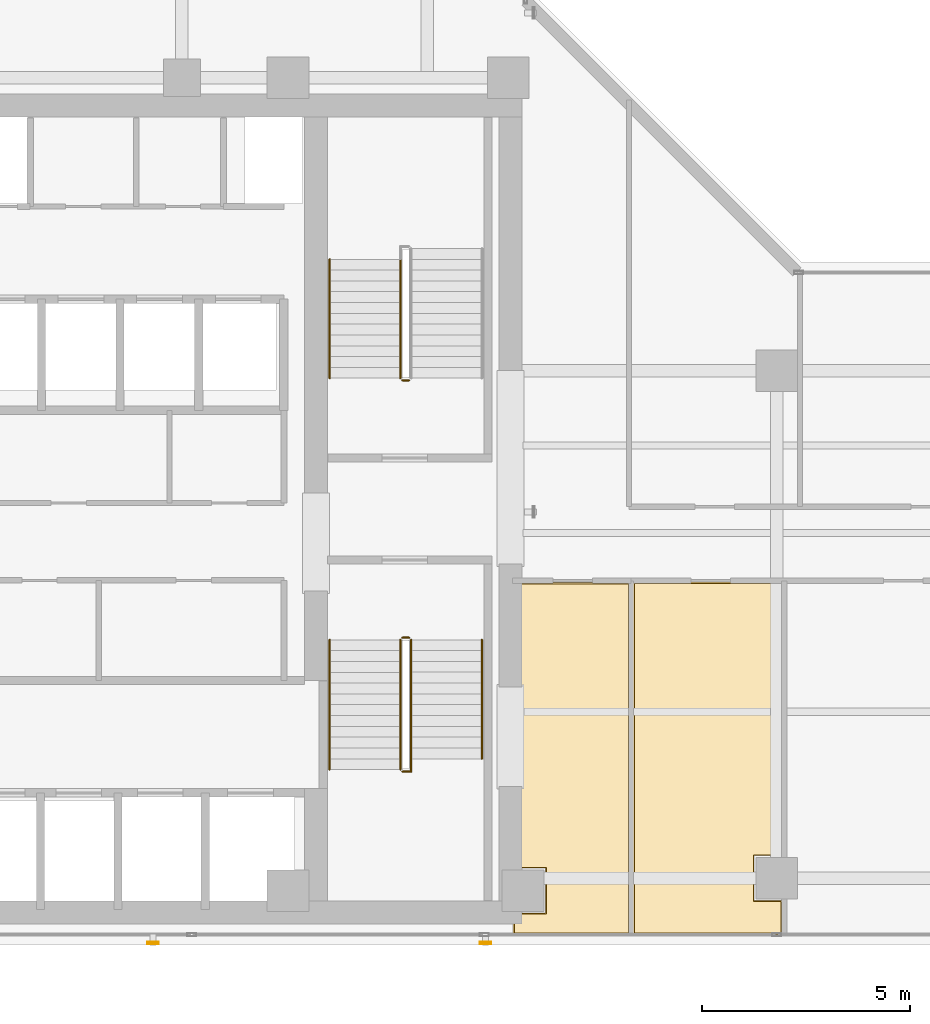
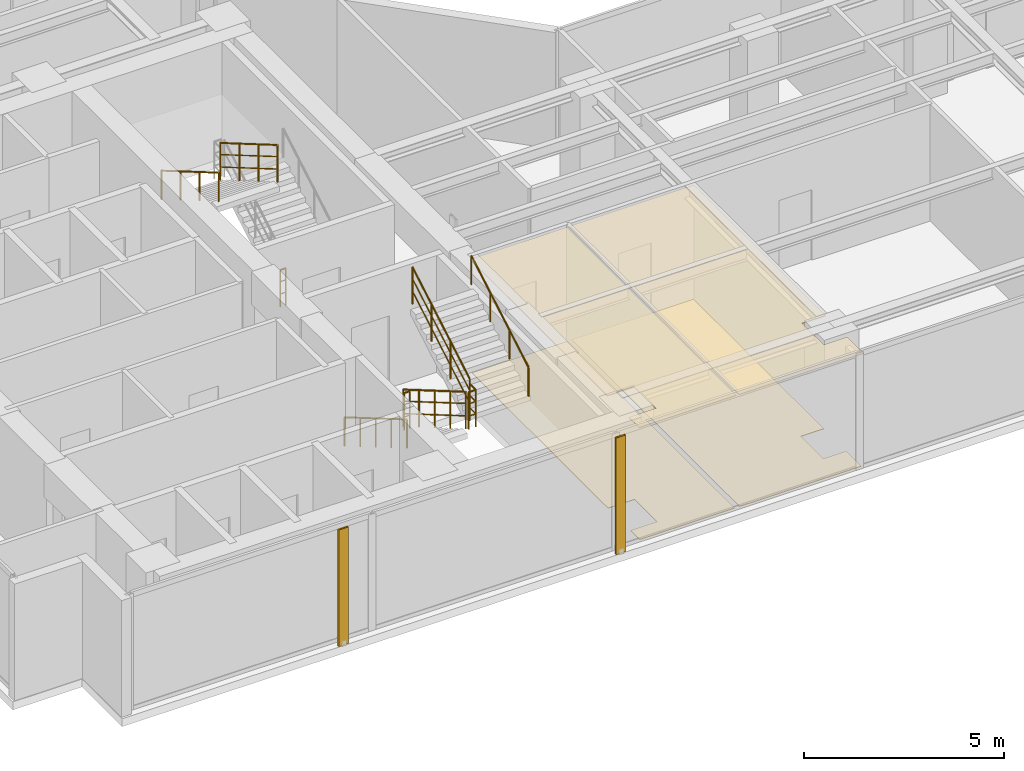
# One storey, part 20 of 24: 9 railings, 4 coverings, 2 shading devices.
"""IFC4 building model written with IfcOpenShell, lengths in metres."""

from ifc_helpers import new_model, si_unit, direction, frame, origin, origin_2d, place, context, subcontext, project, spatial, polyline, hollow_rectangle, circle, outline, extrude, material, layer, layer_set, material_profile, profile_set, type_object, element, save


model = new_model("IFC4")

# Units and contexts
model_context = context("Model", 3, precision=1e-05, world=origin(), true_north=direction((0.0, 1.0)))
body_context = subcontext(model_context, "Body", "Model", "MODEL_VIEW")
ifc_project = project(units=[si_unit("LENGTHUNIT", "METRE"), si_unit("AREAUNIT", "SQUARE_METRE"), si_unit("VOLUMEUNIT", "CUBIC_METRE"), si_unit("PLANEANGLEUNIT", "RADIAN"), si_unit("MASSUNIT", "GRAM", prefix="KILO")], contexts=[model_context])

# Site, building, storey
site_placement = place(None, origin())
site = spatial("IfcSite", under=ifc_project, at=site_placement, CompositionType="ELEMENT")
building_placement = place(site_placement, origin())
building = spatial("IfcBuilding", under=site, at=building_placement, Name="Kolvaren Waterfront Exchange", CompositionType="ELEMENT")
storey_placement = place(building_placement, frame((0.0, 0.0, 238.699951171875)))
storey = spatial("IfcBuildingStorey", under=building, at=storey_placement, Name="L61", CompositionType="ELEMENT", Elevation=238.699951171875)

# Coverings
ifc_material_1 = material(Name="Mineral fibre acoustic ceiling tile")
ifc_layer_1 = layer(ifc_material_1, 0.02490234375, Name="Mineral fibre acoustic ceiling tile")
ifc_layer_set_1 = layer_set([ifc_layer_1], Name="Mineral fibre acoustic ceiling tile")
covering_type_1 = type_object("IfcCoveringType", Name="ARC-CEIL-ACOUSTIC-25", PredefinedType="CEILING", material=ifc_layer_set_1)
covering_1_placement = place(storey_placement, frame((0.0, 0.0, 3.445068359375)))
element("IfcCovering", 1, at=covering_1_placement, inside=storey, type_object=covering_type_1, Name="L61 acoustic suspended ceiling 2", PredefinedType="CEILING", context=body_context, shape_type="SweptSolid", body=[
    extrude(outline(polyline([(20.864990234375, 5.43994140625), (21.639892578125, 5.43994140625), (21.639892578125, 4.360107421875), (20.864990234375, 4.360107421875), (20.864990234375, 3.844970703125), (23.675048828125, 3.844970703125), (23.675048828125, 12.304931640625), (20.864990234375, 12.304931640625), (20.864990234375, 5.43994140625)])), origin(), (0.0, 0.0, 1.0), 0.02490234375),
])
covering_2_placement = place(storey_placement, frame((0.0, 0.0, 3.445068359375)))
element("IfcCovering", 2, at=covering_2_placement, inside=storey, type_object=covering_type_1, Name="L61 acoustic suspended ceiling 3", PredefinedType="CEILING", context=body_context, shape_type="SweptSolid", body=[
    extrude(outline(polyline([(27.3349609375, 4.659912109375), (26.659912109375, 4.659912109375), (26.659912109375, 5.739990234375), (27.3349609375, 5.739990234375), (27.3349609375, 12.31494140625), (23.7451171875, 12.31494140625), (23.7451171875, 3.844970703125), (27.3349609375, 3.844970703125), (27.3349609375, 4.659912109375)])), origin(), (0.0, 0.0, 1.0), 0.02490234375),
])

# Shading devices
ifc_material_2 = material(Name="Anodised bronze aluminium 6063-T6", Category="aluminium")
ifc_material_profile = material_profile(ifc_material_2, hollow_rectangle(XDim=0.054931640625, YDim=0.280029296875, WallThickness=0.00439453125, at=origin_2d()), Name="BRZ-FIN-280x55x4.5")
ifc_profile_set = profile_set([ifc_material_profile], Name="Anodised bronze aluminium 6063-T6")
shading_device_type = type_object("IfcShadingDeviceType", Name="ARC-FIN-280", PredefinedType="USERDEFINED", material=ifc_profile_set)
for number, where, z_axis, x_axis, name in (
    (3, (12.199951171875, 3.639892578125, 0.0), (0.0, 0.0, 1.0), (0.0, -1.0, 0.0), "L61 anodised bronze solar shading fin FIN-L61-S1"),
    (4, (20.199951171875, 3.639892578125, 0.0), (0.0, 0.0, 1.0), (0.0, -1.0, 0.0), "L61 anodised bronze solar shading fin FIN-L61-S2"),
):
    element("IfcShadingDevice", number, at=place(storey_placement, frame(where, z_axis=z_axis, x_axis=x_axis)), inside=storey, type_object=shading_device_type, Name=name, ObjectType="SOLAR FIN", PredefinedType="USERDEFINED", context=body_context, shape_type="SweptSolid", body=[
        extrude(hollow_rectangle(XDim=0.054931640625, YDim=0.280029296875, WallThickness=0.00439453125, at=origin_2d()), origin(), (0.0, 0.0, 1.0), 3.56005859375),
    ])

# Coverings
ifc_material_3 = material(Name="Slip-resistant porcelain tile")
ifc_layer_2 = layer(ifc_material_3, 0.014892578125, Name="Slip-resistant porcelain tile")
ifc_layer_set_2 = layer_set([ifc_layer_2], Name="Slip-resistant porcelain tile")
covering_type_2 = type_object("IfcCoveringType", Name="ARC-FLR-PORC-15", PredefinedType="FLOORING", material=ifc_layer_set_2)
covering_3_placement = place(storey_placement, origin())
element("IfcCovering", 5, at=covering_3_placement, inside=storey, type_object=covering_type_2, Name="L61 floor finish 2", PredefinedType="FLOORING", context=body_context, shape_type="SweptSolid", body=[
    extrude(outline(polyline([(20.89990234375, 4.340087890625), (20.89990234375, 3.8798828125), (23.639892578125, 3.8798828125), (23.639892578125, 12.27001953125), (20.89990234375, 12.27001953125), (20.89990234375, 5.4599609375), (21.659912109375, 5.4599609375), (21.659912109375, 4.340087890625), (20.89990234375, 4.340087890625)])), origin(), (0.0, 0.0, 1.0), 0.01513671875),
])
covering_4_placement = place(storey_placement, origin())
element("IfcCovering", 6, at=covering_4_placement, inside=storey, type_object=covering_type_2, Name="L61 floor finish 3", PredefinedType="FLOORING", context=body_context, shape_type="SweptSolid", body=[
    extrude(outline(polyline([(23.780029296875, 12.280029296875), (23.780029296875, 3.8798828125), (27.300048828125, 3.8798828125), (27.300048828125, 4.639892578125), (26.639892578125, 4.639892578125), (26.639892578125, 5.760009765625), (27.300048828125, 5.760009765625), (27.300048828125, 12.280029296875), (23.780029296875, 12.280029296875)])), origin(), (0.0, 0.0, 1.0), 0.01513671875),
])

# Railings
ifc_material_4 = material(Name="Stainless steel 316", Category="steel")
railing_type_1 = type_object("IfcRailingType", Name="ARC-GUARD-STAIR", PredefinedType="GUARDRAIL", material=ifc_material_4)
railing_1_placement = place(storey_placement, frame((18.14990234375, 10.929931640625, 0.152099609375)))
element("IfcRailing", 7, at=railing_1_placement, inside=storey, type_object=railing_type_1, Name="L61 ST1 stair guard 1", PredefinedType="GUARDRAIL", context=body_context, shape_type="SweptSolid", body=[
    extrude(circle(Radius=0.02392578125, at=origin_2d()), frame((0.0, 0.0, 1.1259765625), z_axis=(0.0, -0.86329090724, 0.504706656858), x_axis=(1.0, 0.0, 0.0)), (0.0, 0.0, 1.0), 3.614013671875),
    extrude(circle(Radius=0.01611328125, at=origin_2d()), frame((0.0, 0.0, 0.390869140625), z_axis=(0.0, -0.86329090724, 0.504706656858), x_axis=(1.0, 0.0, 0.0)), (0.0, 0.0, 1.0), 3.614013671875),
    extrude(circle(Radius=0.01611328125, at=origin_2d()), frame((0.0, 0.0, 0.7705078125), z_axis=(0.0, -0.86329090724, 0.504706656858), x_axis=(1.0, 0.0, 0.0)), (0.0, 0.0, 1.0), 3.614013671875),
    extrude(circle(Radius=0.02099609375, at=origin_2d()), origin(), (0.0, 0.0, 1.0), 1.101806640625),
    extrude(circle(Radius=0.02099609375, at=origin_2d()), frame((0.0, -0.780029296875, 0.4560546875)), (0.0, 0.0, 1.0), 1.101806640625),
    extrude(circle(Radius=0.02099609375, at=origin_2d()), frame((0.0, -1.56005859375, 0.912109375)), (0.0, 0.0, 1.0), 1.101806640625),
    extrude(circle(Radius=0.02099609375, at=origin_2d()), frame((0.0, -2.33984375, 1.367919921875)), (0.0, 0.0, 1.0), 1.101806640625),
    extrude(circle(Radius=0.02099609375, at=origin_2d()), frame((0.0, -3.119873046875, 1.823974609375)), (0.0, 0.0, 1.0), 1.101806640625),
])
railing_2_placement = place(storey_placement, frame((18.199951171875, 7.760009765625, 1.97607421875)))
element("IfcRailing", 8, at=railing_2_placement, inside=storey, type_object=railing_type_1, Name="L61 ST1 stair guard 2", PredefinedType="GUARDRAIL", context=body_context, shape_type="SweptSolid", body=[
    extrude(circle(Radius=0.02392578125, at=origin_2d()), frame((0.0, 0.0, 1.1259765625), z_axis=(1.0, 0.0, 0.0), x_axis=(0.0, 1.0, 0.0)), (0.0, 0.0, 1.0), 0.2099609375),
    extrude(circle(Radius=0.01611328125, at=origin_2d()), frame((0.0, 0.0, 0.390869140625), z_axis=(1.0, 0.0, 0.0), x_axis=(0.0, 1.0, 0.0)), (0.0, 0.0, 1.0), 0.2099609375),
    extrude(circle(Radius=0.01611328125, at=origin_2d()), frame((0.0, 0.0, 0.7705078125), z_axis=(1.0, 0.0, 0.0), x_axis=(0.0, 1.0, 0.0)), (0.0, 0.0, 1.0), 0.2099609375),
    extrude(circle(Radius=0.02392578125, at=origin_2d()), frame((0.2099609375, 0.0, 1.1259765625), z_axis=(0.0, 1.0, 0.0), x_axis=(-1.0, 0.0, 0.0)), (0.0, 0.0, 1.0), 0.31005859375),
    extrude(circle(Radius=0.01611328125, at=origin_2d()), frame((0.2099609375, 0.0, 0.390869140625), z_axis=(0.0, 1.0, 0.0), x_axis=(-1.0, 0.0, 0.0)), (0.0, 0.0, 1.0), 0.31005859375),
    extrude(circle(Radius=0.01611328125, at=origin_2d()), frame((0.2099609375, 0.0, 0.7705078125), z_axis=(0.0, 1.0, 0.0), x_axis=(-1.0, 0.0, 0.0)), (0.0, 0.0, 1.0), 0.31005859375),
    extrude(circle(Radius=0.02099609375, at=origin_2d()), origin(), (0.0, 0.0, 1.0), 1.101806640625),
    extrude(circle(Radius=0.02099609375, at=origin_2d()), frame((0.2099609375, 0.0, 0.0)), (0.0, 0.0, 1.0), 1.101806640625),
    extrude(circle(Radius=0.02099609375, at=origin_2d()), frame((0.2099609375, 0.31005859375, 0.0)), (0.0, 0.0, 1.0), 1.101806640625),
])
railing_3_placement = place(storey_placement, frame((18.409912109375, 8.070068359375, 2.1279296875)))
element("IfcRailing", 9, at=railing_3_placement, inside=storey, type_object=railing_type_1, Name="L61 ST1 stair guard 3", PredefinedType="GUARDRAIL", context=body_context, shape_type="SweptSolid", body=[
    extrude(circle(Radius=0.02392578125, at=origin_2d()), frame((0.0, 0.0, 1.1259765625), z_axis=(0.0, 0.863270611444, 0.50474137082), x_axis=(-1.0, 0.0, 0.0)), (0.0, 0.0, 1.0), 3.312744140625),
    extrude(circle(Radius=0.01611328125, at=origin_2d()), frame((0.0, 0.0, 0.390869140625), z_axis=(0.0, 0.863270611444, 0.50474137082), x_axis=(-1.0, 0.0, 0.0)), (0.0, 0.0, 1.0), 3.312744140625),
    extrude(circle(Radius=0.01611328125, at=origin_2d()), frame((0.0, 0.0, 0.7705078125), z_axis=(0.0, 0.863270611444, 0.50474137082), x_axis=(-1.0, 0.0, 0.0)), (0.0, 0.0, 1.0), 3.312744140625),
    extrude(circle(Radius=0.02099609375, at=origin_2d()), origin(), (0.0, 0.0, 1.0), 1.101806640625),
    extrude(circle(Radius=0.02099609375, at=origin_2d()), frame((0.0, 0.953369140625, 0.557373046875)), (0.0, 0.0, 1.0), 1.101806640625),
    extrude(circle(Radius=0.02099609375, at=origin_2d()), frame((0.0, 1.906494140625, 1.11474609375)), (0.0, 0.0, 1.0), 1.101806640625),
    extrude(circle(Radius=0.02099609375, at=origin_2d()), frame((0.0, 2.85986328125, 1.672119140625)), (0.0, 0.0, 1.0), 1.101806640625),
])
railing_4_placement = place(storey_placement, frame((18.199951171875, 10.97998046875, 0.0)))
element("IfcRailing", 10, at=railing_4_placement, inside=storey, type_object=railing_type_1, Name="L61 ST1 stair guard 4", PredefinedType="GUARDRAIL", context=body_context, shape_type="SweptSolid", body=[
    extrude(circle(Radius=0.02392578125, at=origin_2d()), frame((0.0, 0.0, 1.1259765625), z_axis=(1.0, 0.0, 0.0), x_axis=(0.0, 1.0, 0.0)), (0.0, 0.0, 1.0), 0.16015625),
    extrude(circle(Radius=0.01611328125, at=origin_2d()), frame((0.0, 0.0, 0.390869140625), z_axis=(1.0, 0.0, 0.0), x_axis=(0.0, 1.0, 0.0)), (0.0, 0.0, 1.0), 0.16015625),
    extrude(circle(Radius=0.01611328125, at=origin_2d()), frame((0.0, 0.0, 0.7705078125), z_axis=(1.0, 0.0, 0.0), x_axis=(0.0, 1.0, 0.0)), (0.0, 0.0, 1.0), 0.16015625),
    extrude(circle(Radius=0.02099609375, at=origin_2d()), origin(), (0.0, 0.0, 1.0), 1.101806640625),
    extrude(circle(Radius=0.02099609375, at=origin_2d()), frame((0.16015625, 0.0, 0.0)), (0.0, 0.0, 1.0), 1.101806640625),
])
railing_5_placement = place(storey_placement, frame((18.14990234375, 20.080078125, 2.1279296875)))
element("IfcRailing", 11, at=railing_5_placement, inside=storey, type_object=railing_type_1, Name="L61 ST2 stair guard 3", PredefinedType="GUARDRAIL", context=body_context, shape_type="SweptSolid", body=[
    extrude(circle(Radius=0.02392578125, at=origin_2d()), frame((0.0, 0.0, 1.1259765625), z_axis=(0.0, -0.863289384635, 0.504709261235), x_axis=(1.0, 0.0, 0.0)), (0.0, 0.0, 1.0), 3.31298828125),
    extrude(circle(Radius=0.01611328125, at=origin_2d()), frame((0.0, 0.0, 0.390869140625), z_axis=(0.0, -0.863289384635, 0.504709261235), x_axis=(1.0, 0.0, 0.0)), (0.0, 0.0, 1.0), 3.31298828125),
    extrude(circle(Radius=0.01611328125, at=origin_2d()), frame((0.0, 0.0, 0.7705078125), z_axis=(0.0, -0.863289384635, 0.504709261235), x_axis=(1.0, 0.0, 0.0)), (0.0, 0.0, 1.0), 3.31298828125),
    extrude(circle(Radius=0.02099609375, at=origin_2d()), origin(), (0.0, 0.0, 1.0), 1.101806640625),
    extrude(circle(Radius=0.02099609375, at=origin_2d()), frame((0.0, -0.953369140625, 0.557373046875)), (0.0, 0.0, 1.0), 1.101806640625),
    extrude(circle(Radius=0.02099609375, at=origin_2d()), frame((0.0, -1.90673828125, 1.11474609375)), (0.0, 0.0, 1.0), 1.101806640625),
    extrude(circle(Radius=0.02099609375, at=origin_2d()), frame((0.0, -2.860107421875, 1.672119140625)), (0.0, 0.0, 1.0), 1.101806640625),
])
railing_6_placement = place(storey_placement, frame((18.360107421875, 17.169921875, 0.0)))
element("IfcRailing", 12, at=railing_6_placement, inside=storey, type_object=railing_type_1, Name="L61 ST2 stair guard 4", PredefinedType="GUARDRAIL", context=body_context, shape_type="SweptSolid", body=[
    extrude(circle(Radius=0.02392578125, at=origin_2d()), frame((0.0, 0.0, 1.1259765625), z_axis=(-1.0, 0.0, 0.0), x_axis=(0.0, -1.0, 0.0)), (0.0, 0.0, 1.0), 0.16015625),
    extrude(circle(Radius=0.01611328125, at=origin_2d()), frame((0.0, 0.0, 0.390869140625), z_axis=(-1.0, 0.0, 0.0), x_axis=(0.0, -1.0, 0.0)), (0.0, 0.0, 1.0), 0.16015625),
    extrude(circle(Radius=0.01611328125, at=origin_2d()), frame((0.0, 0.0, 0.7705078125), z_axis=(-1.0, 0.0, 0.0), x_axis=(0.0, -1.0, 0.0)), (0.0, 0.0, 1.0), 0.16015625),
    extrude(circle(Radius=0.02099609375, at=origin_2d()), origin(), (0.0, 0.0, 1.0), 1.101806640625),
    extrude(circle(Radius=0.02099609375, at=origin_2d()), frame((-0.16015625, 0.0, 0.0)), (0.0, 0.0, 1.0), 1.101806640625),
])
railing_type_2 = type_object("IfcRailingType", Name="ARC-HANDRAIL-900", PredefinedType="HANDRAIL", material=ifc_material_4)
railing_7_placement = place(storey_placement, frame((16.449951171875, 10.929931640625, 0.152099609375)))
element("IfcRailing", 13, at=railing_7_placement, inside=storey, type_object=railing_type_2, Name="L61 ST1 stair handrail 1", PredefinedType="HANDRAIL", context=body_context, shape_type="SweptSolid", body=[
    extrude(circle(Radius=0.02392578125, at=origin_2d()), frame((0.0, 0.0, 0.8759765625), z_axis=(0.0, -0.86329090724, 0.504706656858), x_axis=(1.0, 0.0, 0.0)), (0.0, 0.0, 1.0), 3.614013671875),
    extrude(circle(Radius=0.02099609375, at=origin_2d()), origin(), (0.0, 0.0, 1.0), 0.851806640625),
    extrude(circle(Radius=0.02099609375, at=origin_2d()), frame((0.0, -0.780029296875, 0.4560546875)), (0.0, 0.0, 1.0), 0.851806640625),
    extrude(circle(Radius=0.02099609375, at=origin_2d()), frame((0.0, -1.56005859375, 0.912109375)), (0.0, 0.0, 1.0), 0.851806640625),
    extrude(circle(Radius=0.02099609375, at=origin_2d()), frame((0.0, -2.33984375, 1.367919921875)), (0.0, 0.0, 1.0), 0.851806640625),
    extrude(circle(Radius=0.02099609375, at=origin_2d()), frame((0.0, -3.119873046875, 1.823974609375)), (0.0, 0.0, 1.0), 0.851806640625),
])
railing_8_placement = place(storey_placement, frame((20.110107421875, 8.070068359375, 2.1279296875)))
element("IfcRailing", 14, at=railing_8_placement, inside=storey, type_object=railing_type_2, Name="L61 ST1 stair handrail 2", PredefinedType="HANDRAIL", context=body_context, shape_type="SweptSolid", body=[
    extrude(circle(Radius=0.02392578125, at=origin_2d()), frame((0.0, 0.0, 0.8759765625), z_axis=(0.0, 0.863270611444, 0.50474137082), x_axis=(-1.0, 0.0, 0.0)), (0.0, 0.0, 1.0), 3.312744140625),
    extrude(circle(Radius=0.02099609375, at=origin_2d()), origin(), (0.0, 0.0, 1.0), 0.851806640625),
    extrude(circle(Radius=0.02099609375, at=origin_2d()), frame((0.0, 0.953369140625, 0.557373046875)), (0.0, 0.0, 1.0), 0.851806640625),
    extrude(circle(Radius=0.02099609375, at=origin_2d()), frame((0.0, 1.906494140625, 1.11474609375)), (0.0, 0.0, 1.0), 0.851806640625),
    extrude(circle(Radius=0.02099609375, at=origin_2d()), frame((0.0, 2.85986328125, 1.672119140625)), (0.0, 0.0, 1.0), 0.851806640625),
])
railing_9_placement = place(storey_placement, frame((16.449951171875, 20.080078125, 2.1279296875)))
element("IfcRailing", 15, at=railing_9_placement, inside=storey, type_object=railing_type_2, Name="L61 ST2 stair handrail 2", PredefinedType="HANDRAIL", context=body_context, shape_type="SweptSolid", body=[
    extrude(circle(Radius=0.02392578125, at=origin_2d()), frame((0.0, 0.0, 0.8759765625), z_axis=(0.0, -0.863289384635, 0.504709261235), x_axis=(1.0, 0.0, 0.0)), (0.0, 0.0, 1.0), 3.31298828125),
    extrude(circle(Radius=0.02099609375, at=origin_2d()), origin(), (0.0, 0.0, 1.0), 0.851806640625),
    extrude(circle(Radius=0.02099609375, at=origin_2d()), frame((0.0, -0.953369140625, 0.557373046875)), (0.0, 0.0, 1.0), 0.851806640625),
    extrude(circle(Radius=0.02099609375, at=origin_2d()), frame((0.0, -1.90673828125, 1.11474609375)), (0.0, 0.0, 1.0), 0.851806640625),
    extrude(circle(Radius=0.02099609375, at=origin_2d()), frame((0.0, -2.860107421875, 1.672119140625)), (0.0, 0.0, 1.0), 0.851806640625),
])

save(model, "model.ifc")
